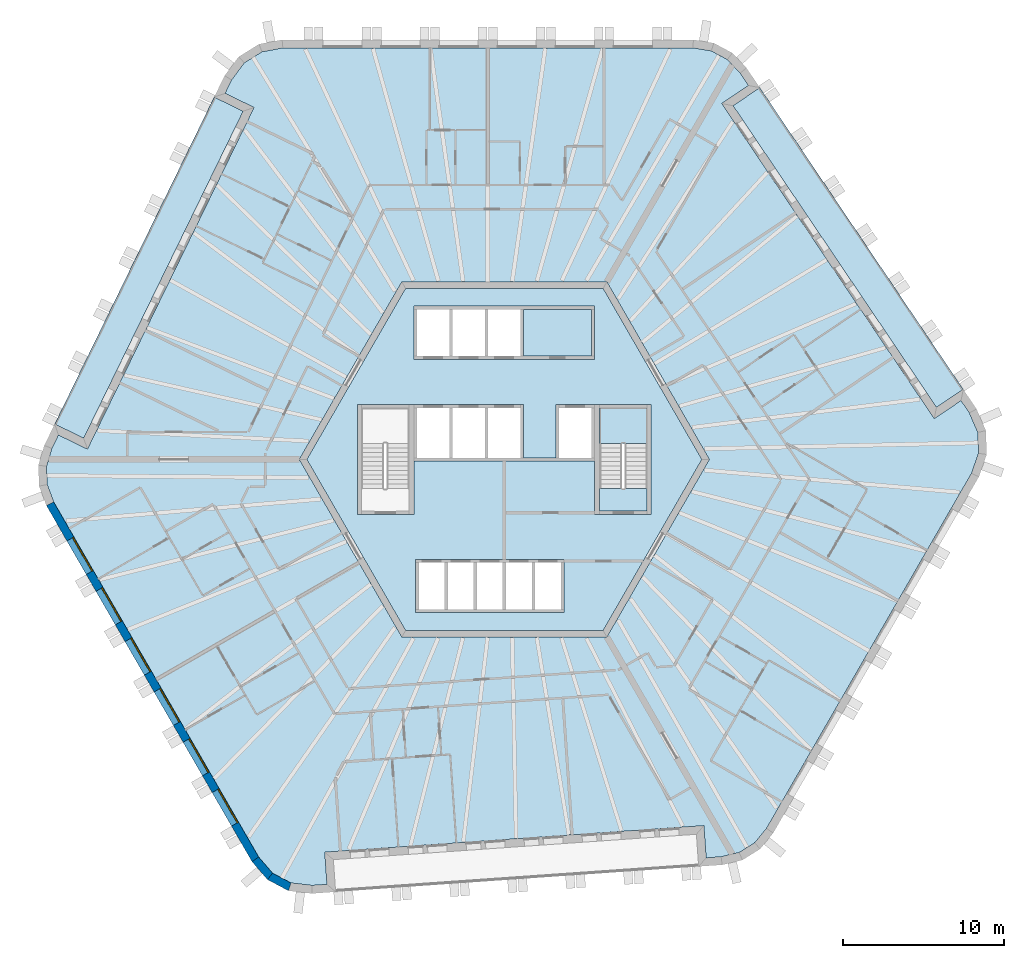
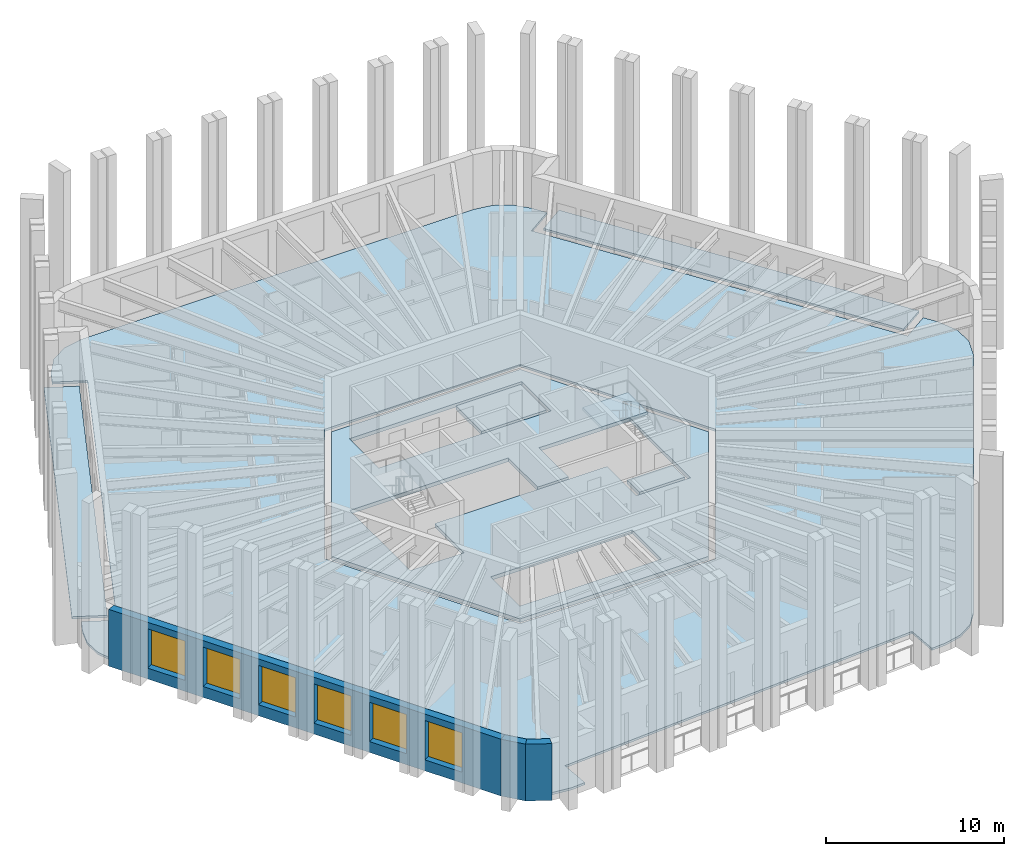
# One storey, part 2 of 12: 7 slabs, 6 windows, 3 walls, 6 openings, 1 element without a shape of its own.
"""IFC4 building model written with IfcOpenShell, lengths in metres."""

from ifc_helpers import new_model, si_unit, direction, frame, frame_2d, origin, place, context, subcontext, project, spatial, polyline, rectangle, outline, extrude, material, layer, layer_set, type_object, element, fill, aggregate, save


model = new_model("IFC4")

# Units and contexts
model_context = context("Model", 3, precision=1e-05, world=origin(), true_north=direction((0.0, 1.0)))
body_context = subcontext(model_context, "Body", "Model", "MODEL_VIEW")
ifc_project = project(units=[si_unit("LENGTHUNIT", "METRE"), si_unit("AREAUNIT", "SQUARE_METRE"), si_unit("VOLUMEUNIT", "CUBIC_METRE"), si_unit("PLANEANGLEUNIT", "RADIAN"), si_unit("MASSUNIT", "GRAM", prefix="KILO")], contexts=[model_context])

# Site, building, storey
site_placement = place(None, origin())
site = spatial("IfcSite", under=ifc_project, at=site_placement, CompositionType="ELEMENT")
building_placement = place(site_placement, origin())
building = spatial("IfcBuilding", under=site, at=building_placement, Name="Tarnside Tower", CompositionType="ELEMENT")
storey_placement = place(building_placement, frame((0.0, 0.0, 291.300048828125)))
storey = spatial("IfcBuildingStorey", under=building, at=storey_placement, Name="L70", CompositionType="ELEMENT", Elevation=291.300048828125)

# Slabs
ifc_material_1 = material(Name="Concrete C35/45", Category="concrete")
ifc_layer_1 = layer(ifc_material_1, 0.14990234375)
ifc_layer_set_1 = layer_set([ifc_layer_1], Name="Composite floor slab 150")
slab_type_1 = type_object("IfcSlabType", Name="Composite floor slab 150", PredefinedType="FLOOR", material=ifc_layer_set_1)
slab_1_placement = place(storey_placement, frame((0.0, 0.0, -0.150146484375)))
element("IfcSlab", 1, at=slab_1_placement, inside=storey, type_object=slab_type_1, Name="Floor slab L70", PredefinedType="FLOOR", context=body_context, shape_type="SweptSolid", body=[
    extrude(outline(polyline([(12.81689453125, 25.312744140625), (13.818115234375, 24.7802734375), (14.610595703125, 23.940185546875), (15.130615234375, 23.169677734375), (13.472412109375, 22.05126953125), (26.638427734375, 2.53173828125), (28.29638671875, 3.650146484375), (28.814697265625, 2.8818359375), (29.336669921875, 1.671875), (29.3818359375, 0.378662109375), (28.945556640625, -0.864990234375), (16.2451171875, -22.86279296875), (15.51318359375, -23.756103515625), (14.55126953125, -24.35693359375), (13.427490234375, -24.623291015625), (12.500244140625, -24.688232421875), (12.360595703125, -22.693115234375), (-11.126708984375, -24.33544921875), (-10.9873046875, -26.33056640625), (-11.91162109375, -26.395263671875), (-13.220458984375, -26.2421875), (-14.363037109375, -25.634765625), (-15.2216796875, -24.635009765625), (-27.922119140625, -2.63720703125), (-28.329833984375, -1.556640625), (-28.369384765625, -0.42333984375), (-28.0380859375, 0.68310546875), (-27.630615234375, 1.5185546875), (-25.8330078125, 0.641845703125), (-15.51171875, 21.8037109375), (-17.309326171875, 22.680419921875), (-16.903076171875, 23.51318359375), (-16.1162109375, 24.5703125), (-15.018798828125, 25.256103515625), (-13.723876953125, 25.5), (11.67724609375, 25.5), (12.81689453125, 25.312744140625)]), holes=[polyline([(-12.70166015625, 0.0), (-6.350830078125, -11.0), (6.350830078125, -11.0), (12.70166015625, 0.0), (6.350830078125, 11.0), (-6.350830078125, 11.0), (-12.70166015625, 0.0)])]), origin(), (0.0, 0.0, 1.0), 0.150146484375),
])
ifc_material_2 = material(Name="Concrete C40/50", Category="concrete")
ifc_layer_2 = layer(ifc_material_2, 0.25)
ifc_layer_set_2 = layer_set([ifc_layer_2], Name="Core slab C40/50")
slab_type_2 = type_object("IfcSlabType", Name="Core slab C40/50", PredefinedType="FLOOR", material=ifc_layer_set_2)
slab_2_placement = place(storey_placement, frame((0.0, 0.0, -0.25)))
element("IfcSlab", 2, at=slab_2_placement, inside=storey, type_object=slab_type_2, Name="L70 core floor slab 1", PredefinedType="FLOOR", context=body_context, shape_type="SweptSolid", body=[
    extrude(outline(polyline([(6.119873046875, 10.60009765625), (12.23974609375, 0.0), (6.119873046875, -10.60009765625), (-6.119873046875, -10.60009765625), (-12.23974609375, 0.0), (-6.119873046875, 10.60009765625), (6.119873046875, 10.60009765625)]), holes=[polyline([(-5.5, -9.5), (3.699951171875, -9.5), (3.699951171875, -9.300048828125), (3.699951171875, -6.39990234375), (3.699951171875, -6.199951171875), (-5.5, -6.199951171875), (-5.5, -6.39990234375), (-5.5, -9.300048828125), (-5.5, -9.5)]), polyline([(-5.60009765625, -3.39990234375), (-5.60009765625, -0.10009765625), (5.60009765625, -0.10009765625), (5.60009765625, -3.39990234375), (5.89990234375, -3.39990234375), (8.85009765625, -3.39990234375), (9.10009765625, -3.39990234375), (9.10009765625, 3.39990234375), (8.85009765625, 3.39990234375), (5.89990234375, 3.39990234375), (5.60009765625, 3.39990234375), (3.39990234375, 3.39990234375), (3.199951171875, 3.39990234375), (3.199951171875, 0.10009765625), (1.199951171875, 0.10009765625), (1.199951171875, 3.39990234375), (1.0, 3.39990234375), (-5.60009765625, 3.39990234375), (-5.89990234375, 3.39990234375), (-8.85009765625, 3.39990234375), (-9.10009765625, 3.39990234375), (-9.10009765625, -3.39990234375), (-8.85009765625, -3.39990234375), (-5.89990234375, -3.39990234375), (-5.60009765625, -3.39990234375)]), polyline([(-5.60009765625, 6.199951171875), (5.60009765625, 6.199951171875), (5.60009765625, 6.39990234375), (5.60009765625, 9.300048828125), (5.60009765625, 9.5), (-5.60009765625, 9.5), (-5.60009765625, 9.300048828125), (-5.60009765625, 6.39990234375), (-5.60009765625, 6.199951171875)])]), origin(), (0.0, 0.0, 1.0), 0.25),
])
slab_3_placement = place(storey_placement, frame((0.0, 0.0, -0.25)))
element("IfcSlab", 3, at=slab_3_placement, inside=storey, type_object=slab_type_2, Name="L70 core floor slab 3", PredefinedType="FLOOR", context=body_context, shape_type="SweptSolid", body=[
    extrude(outline(polyline([(5.89990234375, -1.800048828125), (8.85009765625, -1.800048828125), (8.85009765625, -3.199951171875), (5.89990234375, -3.199951171875), (5.89990234375, -1.800048828125)])), origin(), (0.0, 0.0, 1.0), 0.25),
])
slab_4_placement = place(storey_placement, frame((0.0, 0.0, -0.25)))
element("IfcSlab", 4, at=slab_4_placement, inside=storey, type_object=slab_type_2, Name="L70 core floor slab 4", PredefinedType="FLOOR", context=body_context, shape_type="SweptSolid", body=[
    extrude(outline(polyline([(5.39990234375, 6.39990234375), (1.199951171875, 6.39990234375), (1.199951171875, 9.300048828125), (5.39990234375, 9.300048828125), (5.39990234375, 6.39990234375)])), origin(), (0.0, 0.0, 1.0), 0.25),
])
ifc_material_3 = material(Name="Timber decking", Category="wood")
ifc_layer_3 = layer(ifc_material_3, 0.0400390625)
ifc_material_4 = material(Name="Concrete C60/75 precast", Category="concrete")
ifc_layer_4 = layer(ifc_material_4, 0.110107421875)
ifc_layer_set_3 = layer_set([ifc_layer_3, ifc_layer_4], Name="Loggia deck 150")
slab_type_3 = type_object("IfcSlabType", Name="Loggia deck 150", PredefinedType="FLOOR", material=ifc_layer_set_3)
slab_5_placement = place(storey_placement, frame((0.0, 0.0, -0.150146484375)))
element("IfcSlab", 5, at=slab_5_placement, inside=storey, type_object=slab_type_3, Name="Loggia deck L70 F2", PredefinedType="FLOOR", context=body_context, shape_type="SweptSolid", body=[
    extrude(outline(polyline([(-16.180419921875, 21.573486328125), (-26.063232421875, 1.310302734375), (-27.86083984375, 2.187255859375), (-17.97802734375, 22.4501953125), (-16.180419921875, 21.573486328125)])), origin(), (0.0, 0.0, 1.0), 0.150146484375),
])
slab_6_placement = place(storey_placement, frame((0.0, 0.0, -0.150146484375)))
element("IfcSlab", 6, at=slab_6_placement, inside=storey, type_object=slab_type_3, Name="Loggia deck L70 F6", PredefinedType="FLOOR", context=body_context, shape_type="SweptSolid", body=[
    extrude(outline(polyline([(26.7734375, 3.225830078125), (14.16650390625, 21.916259765625), (15.82470703125, 23.03466796875), (28.431396484375, 4.34423828125), (26.7734375, 3.225830078125)])), origin(), (0.0, 0.0, 1.0), 0.150146484375),
])

# Stair, slab
stair_type = type_object("IfcStairType", Name="Exit stair 1400 clear", PredefinedType="HALF_TURN_STAIR", material=ifc_material_2)
stair_placement = place(storey_placement, origin())
stair = element("IfcStair", 7, at=stair_placement, inside=storey, type_object=stair_type, Name="L70 Exit stair 1", PredefinedType="HALF_TURN_STAIR")
ifc_layer_5 = layer(ifc_material_2, 0.199951171875)
ifc_layer_set_4 = layer_set([ifc_layer_5], Name="Stair landing 200 C40/50")
slab_type_4 = type_object("IfcSlabType", Name="Stair landing 200 C40/50", PredefinedType="LANDING", material=ifc_layer_set_4)
slab_7_placement = place(storey_placement, frame((0.0, 0.0, 1.75)))
slab_7 = element("IfcSlab", 8, at=slab_7_placement, type_object=slab_type_4, Name="ST1 landing 1", PredefinedType="LANDING", context=body_context, shape_type="SweptSolid", body=[
    extrude(outline(polyline([(8.85009765625, 1.0), (8.85009765625, 3.199951171875), (5.89990234375, 3.199951171875), (5.89990234375, 1.0), (8.85009765625, 1.0)])), origin(), (0.0, 0.0, 1.0), 0.199951171875),
])
aggregate(stair, [slab_7])

# Wall, openings, windows
ifc_material_5 = material(Name="Facing brick", Category="masonry")
ifc_layer_6 = layer(ifc_material_5, 0.10205078125)
ifc_layer_7 = layer(ifc_material_4, 0.298095703125)
ifc_material_6 = material(Name="Mineral wool insulation")
ifc_layer_8 = layer(ifc_material_6, 0.10009765625)
ifc_layer_set_5 = layer_set([ifc_layer_6, ifc_layer_7, ifc_layer_8], Name="Tube wall 500 brick faced")
wall_type = type_object("IfcWallType", Name="Tube wall 500 brick faced", PredefinedType="SOLIDWALL", material=ifc_layer_set_5)
wall_1_placement = place(storey_placement, frame((-28.14892578125, -2.74462890625, -0.150146484375), z_axis=(0.0, 0.0, 1.0), x_axis=(0.500003737743, -0.866023245787, 0.0)))
wall_1 = element("IfcWall", 9, at=wall_1_placement, inside=storey, type_object=wall_type, Name="Tube wall L70 F3 flush 12", PredefinedType="SOLIDWALL", context=body_context, shape_type="SweptSolid", body=[
    extrude(outline(polyline([(-0.0205078125, -0.25), (25.468017578125, -0.25), (25.421142578125, 0.25), (0.0205078125, 0.25), (-0.0205078125, -0.25)])), origin(), (0.0, 0.0, 1.0), 3.900146484375),
])
opening_1_placement = place(wall_1_placement, frame((2.5224609375, 0.0, 0.75)))
opening_1 = element("IfcOpeningElement", 10, at=opening_1_placement, cuts=wall_1, Name="Opening WR", PredefinedType="OPENING", context=body_context, shape_type="SweptSolid", body=[
    extrude(rectangle(XDim=2.39990234375, YDim=2.699951171875, at=frame_2d((1.199951171875, 1.35009765625))), frame((0.0, 0.260009765625, 0.0), z_axis=(0.0, -1.0, 0.0), x_axis=(1.0, 0.0, 0.0)), (0.0, 0.0, 1.0), 0.52001953125),
])
opening_2_placement = place(wall_1_placement, frame((6.122314453125, 0.0, 0.75)))
opening_2 = element("IfcOpeningElement", 11, at=opening_2_placement, cuts=wall_1, Name="Opening WR", PredefinedType="OPENING", context=body_context, shape_type="SweptSolid", body=[
    extrude(rectangle(XDim=2.39990234375, YDim=2.699951171875, at=frame_2d((1.199951171875, 1.35009765625))), frame((0.0, 0.260009765625, 0.0), z_axis=(0.0, -1.0, 0.0), x_axis=(1.0, 0.0, 0.0)), (0.0, 0.0, 1.0), 0.52001953125),
])
opening_3_placement = place(wall_1_placement, frame((9.722412109375, 0.0, 0.75)))
opening_3 = element("IfcOpeningElement", 12, at=opening_3_placement, cuts=wall_1, Name="Opening WR", PredefinedType="OPENING", context=body_context, shape_type="SweptSolid", body=[
    extrude(rectangle(XDim=2.39990234375, YDim=2.699951171875, at=frame_2d((1.199951171875, 1.35009765625))), frame((0.0, 0.260009765625, 0.0), z_axis=(0.0, -1.0, 0.0), x_axis=(1.0, 0.0, 0.0)), (0.0, 0.0, 1.0), 0.52001953125),
])
opening_4_placement = place(wall_1_placement, frame((13.322509765625, 0.0, 0.75)))
opening_4 = element("IfcOpeningElement", 13, at=opening_4_placement, cuts=wall_1, Name="Opening WR", PredefinedType="OPENING", context=body_context, shape_type="SweptSolid", body=[
    extrude(rectangle(XDim=2.39990234375, YDim=2.699951171875, at=frame_2d((1.199951171875, 1.35009765625))), frame((0.0, 0.260009765625, 0.0), z_axis=(0.0, -1.0, 0.0), x_axis=(1.0, 0.0, 0.0)), (0.0, 0.0, 1.0), 0.52001953125),
])
opening_5_placement = place(wall_1_placement, frame((16.92236328125, 0.0, 0.75)))
opening_5 = element("IfcOpeningElement", 14, at=opening_5_placement, cuts=wall_1, Name="Opening WR", PredefinedType="OPENING", context=body_context, shape_type="SweptSolid", body=[
    extrude(rectangle(XDim=2.39990234375, YDim=2.699951171875, at=frame_2d((1.199951171875, 1.35009765625))), frame((0.0, 0.260009765625, 0.0), z_axis=(0.0, -1.0, 0.0), x_axis=(1.0, 0.0, 0.0)), (0.0, 0.0, 1.0), 0.52001953125),
])
opening_6_placement = place(wall_1_placement, frame((20.5224609375, 0.0, 0.75)))
opening_6 = element("IfcOpeningElement", 15, at=opening_6_placement, cuts=wall_1, Name="Opening WR", PredefinedType="OPENING", context=body_context, shape_type="SweptSolid", body=[
    extrude(rectangle(XDim=2.39990234375, YDim=2.699951171875, at=frame_2d((1.199951171875, 1.35009765625))), frame((0.0, 0.260009765625, 0.0), z_axis=(0.0, -1.0, 0.0), x_axis=(1.0, 0.0, 0.0)), (0.0, 0.0, 1.0), 0.52001953125),
])
ifc_material_7 = material(Name="Aluminium-framed double glazing", Category="aluminium")
window_type = type_object("IfcWindowType", Name="Residence window 2400 x 2700", PartitioningType="DOUBLE_PANEL_VERTICAL", PredefinedType="WINDOW", material=ifc_material_7)
window_1_placement = place(opening_1_placement, frame((0.0, 0.179931640625, 0.0)))
window_1 = element("IfcWindow", 16, at=window_1_placement, inside=storey, type_object=window_type, Name="E.WN.L70.F3.00", OverallHeight=2.699951171875, OverallWidth=2.39990234375, PartitioningType="DOUBLE_PANEL_VERTICAL", PredefinedType="WINDOW", context=body_context, shape_type="SweptSolid", body=[
    extrude(rectangle(XDim=2.39990234375, YDim=2.699951171875, at=frame_2d((1.199951171875, 1.35009765625))), frame((0.0, 0.030029296875, 0.0), z_axis=(0.0, -1.0, 0.0), x_axis=(1.0, 0.0, 0.0)), (0.0, 0.0, 1.0), 0.06005859375),
])
fill(opening_1, window_1)
window_2_placement = place(opening_2_placement, frame((0.0, 0.179931640625, 0.0)))
window_2 = element("IfcWindow", 17, at=window_2_placement, inside=storey, type_object=window_type, Name="E.WN.L70.F3.01", OverallHeight=2.699951171875, OverallWidth=2.39990234375, PartitioningType="DOUBLE_PANEL_VERTICAL", PredefinedType="WINDOW", context=body_context, shape_type="SweptSolid", body=[
    extrude(rectangle(XDim=2.39990234375, YDim=2.699951171875, at=frame_2d((1.199951171875, 1.35009765625))), frame((0.0, 0.030029296875, 0.0), z_axis=(0.0, -1.0, 0.0), x_axis=(1.0, 0.0, 0.0)), (0.0, 0.0, 1.0), 0.06005859375),
])
fill(opening_2, window_2)
window_3_placement = place(opening_3_placement, frame((0.0, 0.179931640625, 0.0)))
window_3 = element("IfcWindow", 18, at=window_3_placement, inside=storey, type_object=window_type, Name="E.WN.L70.F3.02", OverallHeight=2.699951171875, OverallWidth=2.39990234375, PartitioningType="DOUBLE_PANEL_VERTICAL", PredefinedType="WINDOW", context=body_context, shape_type="SweptSolid", body=[
    extrude(rectangle(XDim=2.39990234375, YDim=2.699951171875, at=frame_2d((1.199951171875, 1.35009765625))), frame((0.0, 0.030029296875, 0.0), z_axis=(0.0, -1.0, 0.0), x_axis=(1.0, 0.0, 0.0)), (0.0, 0.0, 1.0), 0.06005859375),
])
fill(opening_3, window_3)
window_4_placement = place(opening_4_placement, frame((0.0, 0.179931640625, 0.0)))
window_4 = element("IfcWindow", 19, at=window_4_placement, inside=storey, type_object=window_type, Name="E.WN.L70.F3.03", OverallHeight=2.699951171875, OverallWidth=2.39990234375, PartitioningType="DOUBLE_PANEL_VERTICAL", PredefinedType="WINDOW", context=body_context, shape_type="SweptSolid", body=[
    extrude(rectangle(XDim=2.39990234375, YDim=2.699951171875, at=frame_2d((1.199951171875, 1.35009765625))), frame((0.0, 0.030029296875, 0.0), z_axis=(0.0, -1.0, 0.0), x_axis=(1.0, 0.0, 0.0)), (0.0, 0.0, 1.0), 0.06005859375),
])
fill(opening_4, window_4)
window_5_placement = place(opening_5_placement, frame((0.0, 0.179931640625, 0.0)))
window_5 = element("IfcWindow", 20, at=window_5_placement, inside=storey, type_object=window_type, Name="E.WN.L70.F3.04", OverallHeight=2.699951171875, OverallWidth=2.39990234375, PartitioningType="DOUBLE_PANEL_VERTICAL", PredefinedType="WINDOW", context=body_context, shape_type="SweptSolid", body=[
    extrude(rectangle(XDim=2.39990234375, YDim=2.699951171875, at=frame_2d((1.199951171875, 1.35009765625))), frame((0.0, 0.030029296875, 0.0), z_axis=(0.0, -1.0, 0.0), x_axis=(1.0, 0.0, 0.0)), (0.0, 0.0, 1.0), 0.06005859375),
])
fill(opening_5, window_5)
window_6_placement = place(opening_6_placement, frame((0.0, 0.179931640625, 0.0)))
window_6 = element("IfcWindow", 21, at=window_6_placement, inside=storey, type_object=window_type, Name="E.WN.L70.F3.05", OverallHeight=2.699951171875, OverallWidth=2.39990234375, PartitioningType="DOUBLE_PANEL_VERTICAL", PredefinedType="WINDOW", context=body_context, shape_type="SweptSolid", body=[
    extrude(rectangle(XDim=2.39990234375, YDim=2.699951171875, at=frame_2d((1.199951171875, 1.35009765625))), frame((0.0, 0.030029296875, 0.0), z_axis=(0.0, -1.0, 0.0), x_axis=(1.0, 0.0, 0.0)), (0.0, 0.0, 1.0), 0.06005859375),
])
fill(opening_6, window_6)

# Walls
wall_2_placement = place(storey_placement, frame((-15.426513671875, -24.7802734375, -0.150146484375), z_axis=(0.0, 0.0, 1.0), x_axis=(0.651616566281, -0.758548515619, 0.0)))
element("IfcWall", 22, at=wall_2_placement, inside=storey, type_object=wall_type, Name="Tube wall L70 F3 chord 13", PredefinedType="SOLIDWALL", context=body_context, shape_type="SweptSolid", body=[
    extrude(outline(polyline([(-0.0234375, -0.25), (1.435302734375, -0.25), (1.341064453125, 0.25), (0.0234375, 0.25), (-0.0234375, -0.25)])), origin(), (0.0, 0.0, 1.0), 3.900146484375),
])
wall_3_placement = place(storey_placement, frame((-14.52197265625, -25.833251953125, -0.150146484375), z_axis=(0.0, 0.0, 1.0), x_axis=(0.882926676147, -0.469510899286, 0.0)))
element("IfcWall", 23, at=wall_3_placement, inside=storey, type_object=wall_type, Name="Tube wall L70 F3 chord 14", PredefinedType="SOLIDWALL", context=body_context, shape_type="SweptSolid", body=[
    extrude(outline(polyline([(-0.047119140625, -0.25), (1.435546875, -0.25), (1.34130859375, 0.25), (0.047119140625, 0.25), (-0.047119140625, -0.25)])), origin(), (0.0, 0.0, 1.0), 3.900146484375),
])

save(model, "model.ifc")
